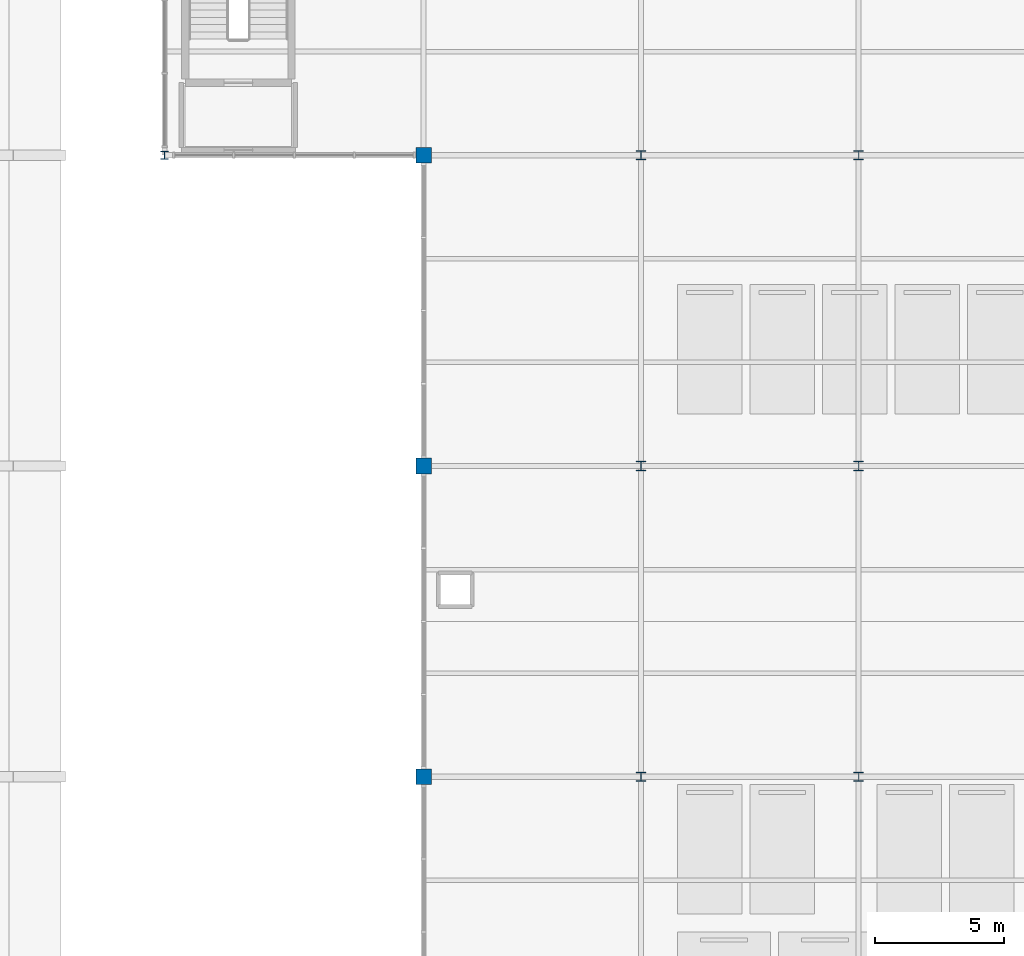
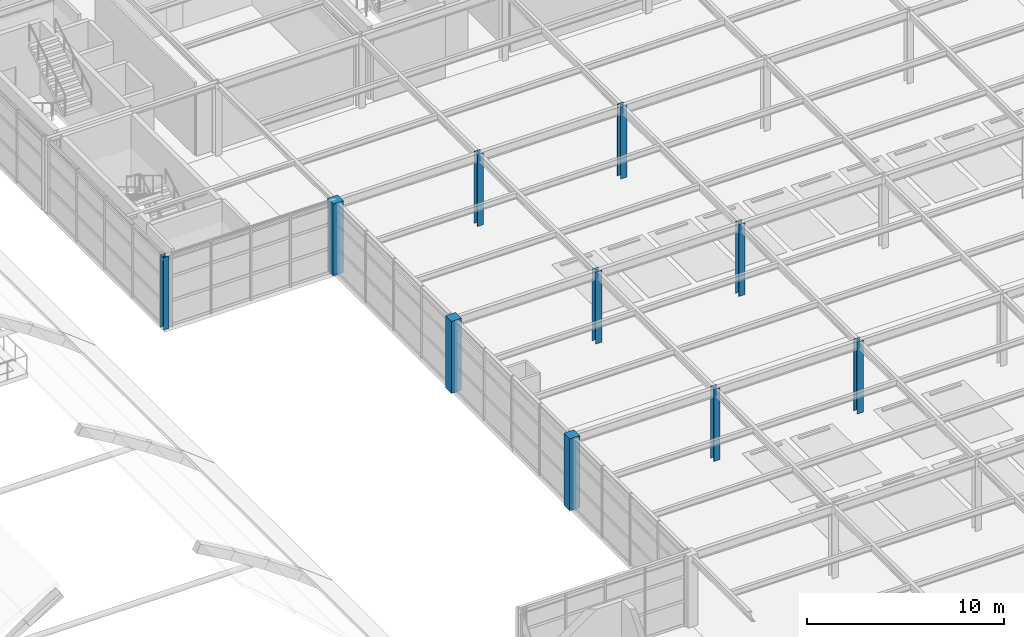
# One storey, part 3 of 82: 10 columns.
"""IFC4 building model written with IfcOpenShell, lengths in metres."""

from ifc_helpers import new_model, si_unit, direction, frame, origin, origin_2d, place, context, subcontext, project, spatial, rectangle, i_section, extrude, material, material_profile, profile_set, type_object, element, save


model = new_model("IFC4")

# Units and contexts
model_context = context("Model", 3, precision=1e-05, world=origin(), true_north=direction((0.0, 1.0)))
body_context = subcontext(model_context, "Body", "Model", "MODEL_VIEW")
ifc_project = project(units=[si_unit("LENGTHUNIT", "METRE"), si_unit("AREAUNIT", "SQUARE_METRE"), si_unit("VOLUMEUNIT", "CUBIC_METRE"), si_unit("PLANEANGLEUNIT", "RADIAN"), si_unit("MASSUNIT", "GRAM", prefix="KILO")], contexts=[model_context])

# Site, building, storey
site_placement = place(None, origin())
site = spatial("IfcSite", under=ifc_project, at=site_placement, CompositionType="ELEMENT")
building_placement = place(site_placement, origin())
building = spatial("IfcBuilding", under=site, at=building_placement, Name="Sitalva Quay Ferry Terminal", CompositionType="ELEMENT")
storey_placement = place(building_placement, frame((0.0, 0.0, 5.39990234375)))
storey = spatial("IfcBuildingStorey", under=building, at=storey_placement, Name="L02", CompositionType="ELEMENT", Elevation=5.39990234375)

# Columns
ifc_material_1 = material(Name="Concrete C35/45", Category="concrete")
ifc_material_profile_1 = material_profile(ifc_material_1, rectangle(XDim=0.60009765625, YDim=0.60009765625, at=origin_2d()), Name="RC600x600")
ifc_profile_set_1 = profile_set([ifc_material_profile_1], Name="Concrete C35/45")
column_type_1 = type_object("IfcColumnType", Name="Col_RC600x600", PredefinedType="COLUMN", material=ifc_profile_set_1)
for number, where, z_axis, x_axis, name in (
    (1, (84.0, 42.0, 0.0), (0.0, 0.0, 1.0), (1.0, 0.0, 0.0), "L02 column 11F"),
    (2, (84.0, 54.0, 0.0), (0.0, 0.0, 1.0), (1.0, 0.0, 0.0), "L02 column 11G"),
    (3, (84.0, 66.0, 0.0), (0.0, 0.0, 1.0), (1.0, 0.0, 0.0), "L02 column 11H"),
):
    element("IfcColumn", number, at=place(storey_placement, frame(where, z_axis=z_axis, x_axis=x_axis)), inside=storey, type_object=column_type_1, Name=name, PredefinedType="COLUMN", context=body_context, shape_type="SweptSolid", body=[
        extrude(rectangle(XDim=0.60009765625, YDim=0.60009765625, at=origin_2d()), origin(), (0.0, 0.0, 1.0), 4.4501953125),
    ])
ifc_material_2 = material(Name="Structural Steel S355JR", Category="steel")
ifc_material_profile_2 = material_profile(ifc_material_2, i_section(OverallWidth=0.305908203125, OverallDepth=0.31103515625, WebThickness=0.010986328125, FlangeThickness=0.01708984375, FilletRadius=0.014892578125, at=origin_2d()), Name="W310x107")
ifc_profile_set_2 = profile_set([ifc_material_profile_2], Name="Structural Steel S355JR")
column_type_2 = type_object("IfcColumnType", Name="Col_W310x107", PredefinedType="COLUMN", material=ifc_profile_set_2)
column_placement = place(storey_placement, frame((74.0, 66.0, 0.0), z_axis=(0.0, 0.0, 1.0), x_axis=(1.0, 0.0, 0.0)))
element("IfcColumn", 4, at=column_placement, inside=storey, type_object=column_type_2, Name="L02 column 10H", PredefinedType="COLUMN", context=body_context, shape_type="SweptSolid", body=[
    extrude(i_section(OverallWidth=0.305908203125, OverallDepth=0.31103515625, WebThickness=0.010986328125, FlangeThickness=0.01708984375, FilletRadius=0.014892578125, at=origin_2d()), origin(), (0.0, 0.0, 1.0), 4.5),
])
ifc_material_3 = material(Name="Structural Steel S355JR", Category="steel")
ifc_material_profile_3 = material_profile(ifc_material_3, i_section(OverallWidth=0.368896484375, OverallDepth=0.35595703125, WebThickness=0.01123046875, FlangeThickness=0.01806640625, FilletRadius=0.014892578125, at=origin_2d()), Name="W360x134")
ifc_profile_set_3 = profile_set([ifc_material_profile_3], Name="Structural Steel S355JR")
column_type_3 = type_object("IfcColumnType", Name="Col_W360x134", PredefinedType="COLUMN", material=ifc_profile_set_3)
for number, where, z_axis, x_axis, name in (
    (5, (92.39990234375, 42.0, 0.0), (0.0, 0.0, 1.0), (1.0, 0.0, 0.0), "L02 column 12F"),
    (6, (100.800048828125, 42.0, 0.0), (0.0, 0.0, 1.0), (1.0, 0.0, 0.0), "L02 column 13F"),
    (7, (92.39990234375, 54.0, 0.0), (0.0, 0.0, 1.0), (1.0, 0.0, 0.0), "L02 column 12G"),
    (8, (100.800048828125, 54.0, 0.0), (0.0, 0.0, 1.0), (1.0, 0.0, 0.0), "L02 column 13G"),
    (9, (92.39990234375, 66.0, 0.0), (0.0, 0.0, 1.0), (1.0, 0.0, 0.0), "L02 column 12H"),
    (10, (100.800048828125, 66.0, 0.0), (0.0, 0.0, 1.0), (1.0, 0.0, 0.0), "L02 column 13H"),
):
    element("IfcColumn", number, at=place(storey_placement, frame(where, z_axis=z_axis, x_axis=x_axis)), inside=storey, type_object=column_type_3, Name=name, PredefinedType="COLUMN", context=body_context, shape_type="SweptSolid", body=[
        extrude(i_section(OverallWidth=0.368896484375, OverallDepth=0.35595703125, WebThickness=0.01123046875, FlangeThickness=0.01806640625, FilletRadius=0.014892578125, at=origin_2d()), origin(), (0.0, 0.0, 1.0), 4.4501953125),
    ])

save(model, "model.ifc")
